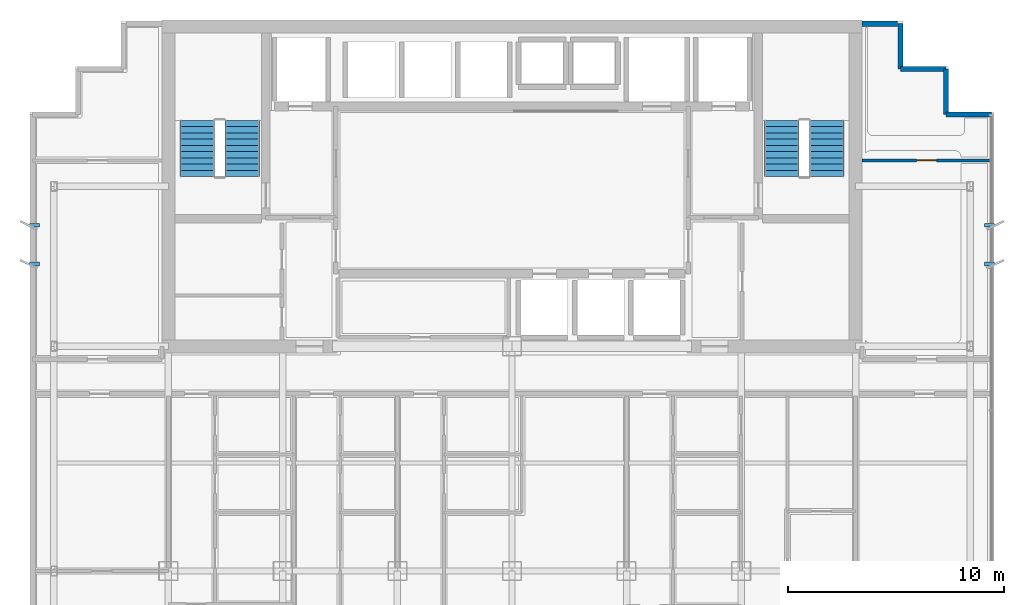
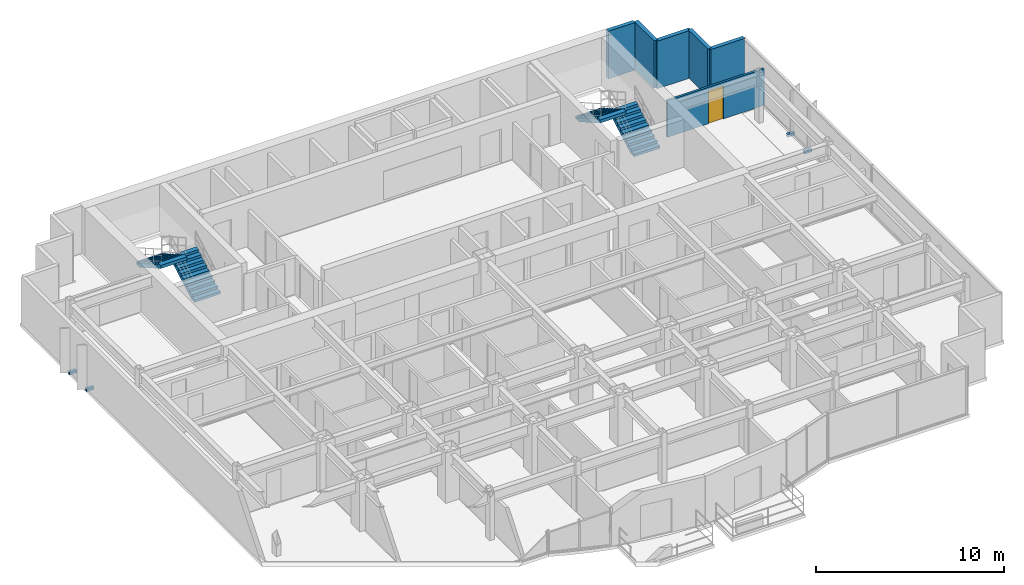
# One storey, part 11 of 13: 6 walls, 4 discrete accessories, 4 stair flights, 1 door, 1 opening, 2 elements without a shape of their own.
"""IFC4 building model written with IfcOpenShell, lengths in metres."""

from ifc_helpers import new_model, si_unit, direction, frame, frame_2d, origin, origin_2d, place, context, subcontext, project, spatial, polyline, rectangle, outline, extrude, source, transform, mapped, material, layer, layer_set, type_object, element, fill, aggregate, save


model = new_model("IFC4")

# Units and contexts
model_context = context("Model", 3, precision=1e-05, world=origin(), true_north=direction((0.0, 1.0)))
body_context = subcontext(model_context, "Body", "Model", "MODEL_VIEW")
ifc_project = project(units=[si_unit("LENGTHUNIT", "METRE"), si_unit("AREAUNIT", "SQUARE_METRE"), si_unit("VOLUMEUNIT", "CUBIC_METRE"), si_unit("PLANEANGLEUNIT", "RADIAN"), si_unit("MASSUNIT", "GRAM", prefix="KILO")], contexts=[model_context])

# Site, building, storey
site_placement = place(None, origin())
site = spatial("IfcSite", under=ifc_project, at=site_placement, CompositionType="ELEMENT")
building_placement = place(site_placement, origin())
building = spatial("IfcBuilding", under=site, at=building_placement, Name="Qianlan Lanfeng Residences", CompositionType="ELEMENT")
storey_placement = place(building_placement, frame((0.0, 0.0, 139.199951171875)))
storey = spatial("IfcBuildingStorey", under=building, at=storey_placement, Name="L37", CompositionType="ELEMENT", Elevation=139.199951171875)

# Walls
ifc_material_1 = material(Name="Concrete C42", Category="concrete")
ifc_layer_1 = layer(ifc_material_1, 0.239990234375)
ifc_layer_set_1 = layer_set([ifc_layer_1], Name="Concrete C42")
wall_type_1 = type_object("IfcWallType", Name="EW-240", PredefinedType="SOLIDWALL", material=ifc_layer_set_1)
wall_1_placement = place(storey_placement, frame((48.679931640625, 35.929931640625, 0.0), z_axis=(0.0, 0.0, 1.0), x_axis=(-1.0, 0.0, 0.0)))
element("IfcWall", 1, at=wall_1_placement, inside=storey, type_object=wall_type_1, Name="L37 Exterior Facade Spandrel Wall 11", PredefinedType="SOLIDWALL", context=body_context, shape_type="SweptSolid", body=[
    extrude(rectangle(XDim=2.099853515625, YDim=0.239990234375, at=frame_2d((1.0498046875, 0.0))), origin(), (0.0, 0.0, 1.0), 3.10009765625),
])
for number, where, z_axis, x_axis, name in (
    (2, (46.580078125, 35.929931640625, 0.0), (0.0, 0.0, 1.0), (0.0, 1.0, 0.0), "L37 Exterior Facade Spandrel Wall 12"),
    (3, (46.580078125, 38.030029296875, 0.0), (0.0, 0.0, 1.0), (-1.0, 0.0, 0.0), "L37 Exterior Facade Spandrel Wall 13"),
):
    element("IfcWall", number, at=place(storey_placement, frame(where, z_axis=z_axis, x_axis=x_axis)), inside=storey, type_object=wall_type_1, Name=name, PredefinedType="SOLIDWALL", context=body_context, shape_type="SweptSolid", body=[
        extrude(rectangle(XDim=2.10009765625, YDim=0.239990234375, at=frame_2d((1.050048828125, 0.0))), origin(), (0.0, 0.0, 1.0), 3.10009765625),
    ])
wall_2_placement = place(storey_placement, frame((44.47998046875, 38.030029296875, 0.0), z_axis=(0.0, 0.0, 1.0), x_axis=(0.0, 1.0, 0.0)))
element("IfcWall", 4, at=wall_2_placement, inside=storey, type_object=wall_type_1, Name="L37 Exterior Facade Spandrel Wall 14", PredefinedType="SOLIDWALL", context=body_context, shape_type="SweptSolid", body=[
    extrude(rectangle(XDim=2.099853515625, YDim=0.239990234375, at=frame_2d((1.0498046875, 0.0))), origin(), (0.0, 0.0, 1.0), 3.10009765625),
])
wall_3_placement = place(storey_placement, frame((44.35009765625, 40.1298828125, 0.0), z_axis=(0.0, 0.0, 1.0), x_axis=(-1.0, 0.0, 0.0)))
element("IfcWall", 5, at=wall_3_placement, inside=storey, type_object=wall_type_1, Name="L37 North Wing Exterior Wall E", PredefinedType="SOLIDWALL", context=body_context, shape_type="SweptSolid", body=[
    extrude(rectangle(XDim=1.650146484375, YDim=0.239990234375, at=frame_2d((0.8251953125, 0.0))), origin(), (0.0, 0.0, 1.0), 3.10009765625),
])

# Wall, opening, door
ifc_material_2 = material(Name="Moisture-Resistant Gypsum Partition 135 mm")
ifc_layer_2 = layer(ifc_material_2, 0.135009765625)
ifc_layer_set_2 = layer_set([ifc_layer_2], Name="Moisture-Resistant Gypsum Partition 135 mm")
wall_type_2 = type_object("IfcWallType", Name="PW-135", PredefinedType="PARTITIONING", material=ifc_layer_set_2)
wall_4_placement = place(storey_placement, frame((42.699951171875, 33.800048828125, 0.0), z_axis=(0.0, 0.0, 1.0), x_axis=(1.0, 0.0, 0.0)))
wall_4 = element("IfcWall", 6, at=wall_4_placement, inside=storey, type_object=wall_type_2, Name="L37 EW North Wing Wall", PredefinedType="PARTITIONING", context=body_context, shape_type="SweptSolid", body=[
    extrude(rectangle(XDim=5.97998046875, YDim=0.135009765625, at=frame_2d((2.989990234375, 0.0))), origin(), (0.0, 0.0, 1.0), 2.380126953125),
])
opening_placement = place(wall_4_placement, frame((2.530029296875, 0.0, 0.0)))
opening = element("IfcOpeningElement", 7, at=opening_placement, cuts=wall_4, Name="Opening L37-D46", PredefinedType="OPENING", context=body_context, shape_type="SweptSolid", body=[
    extrude(rectangle(XDim=0.919921875, YDim=2.14990234375, at=frame_2d((0.4599609375, 1.074951171875))), frame((0.0, 0.07763671875, 0.0), z_axis=(0.0, -1.0, 0.0), x_axis=(1.0, 0.0, 0.0)), (0.0, 0.0, 1.0), 0.155029296875),
])
ifc_material_3 = material(Name="Glazed Timber Kitchen/Study Door", Category="wood")
door_type = type_object("IfcDoorType", Name="DT-INT", OperationType="NOTDEFINED", PredefinedType="DOOR", material=ifc_material_3)
door_placement = place(opening_placement, origin())
door = element("IfcDoor", 8, at=door_placement, inside=storey, type_object=door_type, Name="L37 EW Inner Salon Door L37-D46 (DT-INT)", OperationType="SINGLE_SWING_RIGHT", OverallHeight=2.14990234375, OverallWidth=0.919921875, PredefinedType="DOOR", context=body_context, shape_type="SweptSolid", body=[
    extrude(rectangle(XDim=0.919921875, YDim=2.14990234375, at=frame_2d((0.4599609375, 1.074951171875))), frame((0.0, 0.02490234375, 0.0), z_axis=(0.0, -1.0, 0.0), x_axis=(1.0, 0.0, 0.0)), (0.0, 0.0, 1.0), 0.050048828125),
])
fill(opening, door)

# Stair, stair flights
stair_type = type_object("IfcStairType", Name="STR-MAIN", PredefinedType="HALF_TURN_STAIR", material=ifc_material_1)
stair_1_placement = place(storey_placement, origin())
stair_1 = element("IfcStair", 9, at=stair_1_placement, inside=storey, type_object=stair_type, Name="L37 Exit Stair ST-1", PredefinedType="HALF_TURN_STAIR")
stair_flight_type = type_object("IfcStairFlightType", Name="FLT-1720", PredefinedType="STRAIGHT", material=ifc_material_1)
stair_flight_1_placement = place(storey_placement, frame((14.02001953125, 33.050048828125, 0.0), z_axis=(0.0, 0.0, 1.0), x_axis=(0.0, 1.0, 0.0)))
stair_flight_1 = element("IfcStairFlight", 10, at=stair_flight_1_placement, type_object=stair_flight_type, Name="ST-1 flight 1", NumberOfRisers=10, NumberOfTreads=9, PredefinedType="STRAIGHT", RiserHeight=0.165, TreadLength=0.29, context=body_context, shape_type="SweptSolid", body=[
    extrude(outline(polyline([(0.0, 0.0), (0.0, 0.1650390625), (0.2900390625, 0.1650390625), (0.2900390625, 0.330078125), (0.580078125, 0.330078125), (0.580078125, 0.4951171875), (0.8701171875, 0.4951171875), (0.8701171875, 0.659912109375), (1.159912109375, 0.659912109375), (1.159912109375, 0.824951171875), (1.449951171875, 0.824951171875), (1.449951171875, 0.989990234375), (1.739990234375, 0.989990234375), (1.739990234375, 1.155029296875), (2.030029296875, 1.155029296875), (2.030029296875, 1.320068359375), (2.320068359375, 1.320068359375), (2.320068359375, 1.485107421875), (2.610107421875, 1.485107421875), (2.610107421875, 1.64990234375), (2.610107421875, 1.278076171875), (0.36376953125, 0.0), (0.0, 0.0)])), frame((0.0, 0.800048828125, 0.0), z_axis=(0.0, -1.0, 0.0), x_axis=(1.0, 0.0, 0.0)), (0.0, 0.0, 1.0), 1.60009765625),
])
stair_flight_2_placement = place(storey_placement, frame((11.93994140625, 35.659912109375, 1.650146484375), z_axis=(0.0, 0.0, 1.0), x_axis=(0.0, -1.0, 0.0)))
stair_flight_2 = element("IfcStairFlight", 11, at=stair_flight_2_placement, type_object=stair_flight_type, Name="ST-1 flight 2", NumberOfRisers=10, NumberOfTreads=9, PredefinedType="STRAIGHT", RiserHeight=0.165, TreadLength=0.29, context=body_context, shape_type="SweptSolid", body=[
    extrude(outline(polyline([(0.0, 0.0), (0.0, 0.1650390625), (0.2900390625, 0.1650390625), (0.2900390625, 0.330078125), (0.580078125, 0.330078125), (0.580078125, 0.4951171875), (0.8701171875, 0.4951171875), (0.8701171875, 0.659912109375), (1.159912109375, 0.659912109375), (1.159912109375, 0.824951171875), (1.449951171875, 0.824951171875), (1.449951171875, 0.989990234375), (1.739990234375, 0.989990234375), (1.739990234375, 1.155029296875), (2.030029296875, 1.155029296875), (2.030029296875, 1.320068359375), (2.320068359375, 1.320068359375), (2.320068359375, 1.485107421875), (2.610107421875, 1.485107421875), (2.610107421875, 1.64990234375), (2.610107421875, 1.278076171875), (0.36376953125, 0.0), (0.0, 0.0)])), frame((0.0, 0.800048828125, 0.0), z_axis=(0.0, -1.0, 0.0), x_axis=(1.0, 0.0, 0.0)), (0.0, 0.0, 1.0), 1.60009765625),
])
aggregate(stair_1, [stair_flight_1, stair_flight_2])

stair_2_placement = place(storey_placement, origin())
stair_2 = element("IfcStair", 12, at=stair_2_placement, inside=storey, type_object=stair_type, Name="L37 Exit Stair ST-2", PredefinedType="HALF_TURN_STAIR")
stair_flight_3_placement = place(storey_placement, frame((41.06005859375, 33.050048828125, 0.0), z_axis=(0.0, 0.0, 1.0), x_axis=(0.0, 1.0, 0.0)))
stair_flight_3 = element("IfcStairFlight", 13, at=stair_flight_3_placement, type_object=stair_flight_type, Name="ST-2 flight 1", NumberOfRisers=10, NumberOfTreads=9, PredefinedType="STRAIGHT", RiserHeight=0.165, TreadLength=0.29, context=body_context, shape_type="SweptSolid", body=[
    extrude(outline(polyline([(0.0, 0.0), (0.0, 0.1650390625), (0.2900390625, 0.1650390625), (0.2900390625, 0.330078125), (0.580078125, 0.330078125), (0.580078125, 0.4951171875), (0.8701171875, 0.4951171875), (0.8701171875, 0.659912109375), (1.159912109375, 0.659912109375), (1.159912109375, 0.824951171875), (1.449951171875, 0.824951171875), (1.449951171875, 0.989990234375), (1.739990234375, 0.989990234375), (1.739990234375, 1.155029296875), (2.030029296875, 1.155029296875), (2.030029296875, 1.320068359375), (2.320068359375, 1.320068359375), (2.320068359375, 1.485107421875), (2.610107421875, 1.485107421875), (2.610107421875, 1.64990234375), (2.610107421875, 1.278076171875), (0.36376953125, 0.0), (0.0, 0.0)])), frame((0.0, 0.800048828125, 0.0), z_axis=(0.0, -1.0, 0.0), x_axis=(1.0, 0.0, 0.0)), (0.0, 0.0, 1.0), 1.60009765625),
])
stair_flight_4_placement = place(storey_placement, frame((38.97998046875, 35.659912109375, 1.650146484375), z_axis=(0.0, 0.0, 1.0), x_axis=(0.0, -1.0, 0.0)))
stair_flight_4 = element("IfcStairFlight", 14, at=stair_flight_4_placement, type_object=stair_flight_type, Name="ST-2 flight 2", NumberOfRisers=10, NumberOfTreads=9, PredefinedType="STRAIGHT", RiserHeight=0.165, TreadLength=0.29, context=body_context, shape_type="SweptSolid", body=[
    extrude(outline(polyline([(0.0, 0.0), (0.0, 0.1650390625), (0.2900390625, 0.1650390625), (0.2900390625, 0.330078125), (0.580078125, 0.330078125), (0.580078125, 0.4951171875), (0.8701171875, 0.4951171875), (0.8701171875, 0.659912109375), (1.159912109375, 0.659912109375), (1.159912109375, 0.824951171875), (1.449951171875, 0.824951171875), (1.449951171875, 0.989990234375), (1.739990234375, 0.989990234375), (1.739990234375, 1.155029296875), (2.030029296875, 1.155029296875), (2.030029296875, 1.320068359375), (2.320068359375, 1.320068359375), (2.320068359375, 1.485107421875), (2.610107421875, 1.485107421875), (2.610107421875, 1.64990234375), (2.610107421875, 1.278076171875), (0.36376953125, 0.0), (0.0, 0.0)])), frame((0.0, 0.800048828125, 0.0), z_axis=(0.0, -1.0, 0.0), x_axis=(1.0, 0.0, 0.0)), (0.0, 0.0, 1.0), 1.60009765625),
])
aggregate(stair_2, [stair_flight_3, stair_flight_4])

# Discrete accessories
ifc_material_4 = material(Name="Stainless Steel Facade Bracket", Category="steel")
discrete_accessory_type = type_object("IfcDiscreteAccessoryType", Name="BRK-SS-350", PredefinedType="BRACKET", material=ifc_material_4)
shared_shape = source(origin(), body_context, "Body", "SweptSolid", [
    extrude(rectangle(XDim=0.449951171875, YDim=0.179931640625, at=origin_2d()), origin(), (0.0, 0.0, 1.0), 0.179931640625),
])
for number, where, z_axis, x_axis, name in (
    (15, (4.39990234375, 29.0, -0.14990234375), (0.0, 0.0, 1.0), (1.0, 0.0, 0.0), "L37 Raked Solar Fin Support Bracket W1"),
    (16, (4.39990234375, 30.800048828125, -0.14990234375), (0.0, 0.0, 1.0), (1.0, 0.0, 0.0), "L37 Raked Solar Fin Support Bracket W2"),
    (17, (48.60009765625, 29.0, -0.14990234375), (0.0, 0.0, 1.0), (1.0, 0.0, 0.0), "L37 Raked Solar Fin Support Bracket E1"),
    (18, (48.60009765625, 30.800048828125, -0.14990234375), (0.0, 0.0, 1.0), (1.0, 0.0, 0.0), "L37 Raked Solar Fin Support Bracket E2"),
):
    element("IfcDiscreteAccessory", number, at=place(storey_placement, frame(where, z_axis=z_axis, x_axis=x_axis)), inside=storey, type_object=discrete_accessory_type, Name=name, PredefinedType="BRACKET", context=body_context, shape_type="MappedRepresentation", body=[
        mapped(shared_shape, transform((0.0, 0.0, 0.0), scale=1.0)),
    ])

save(model, "model.ifc")
